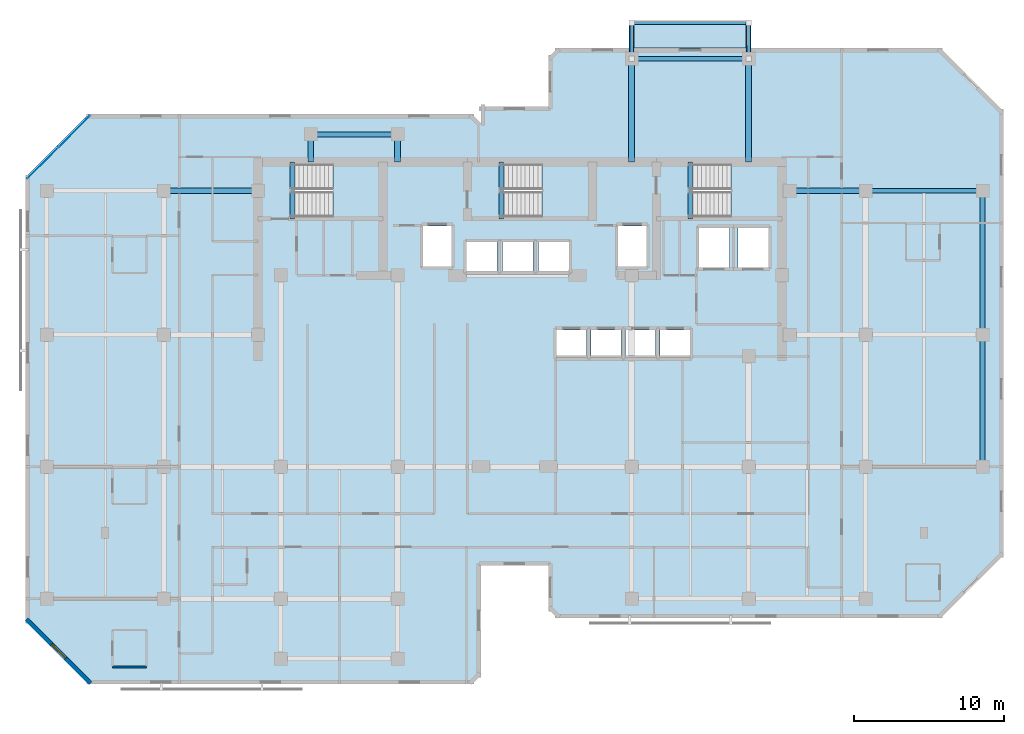
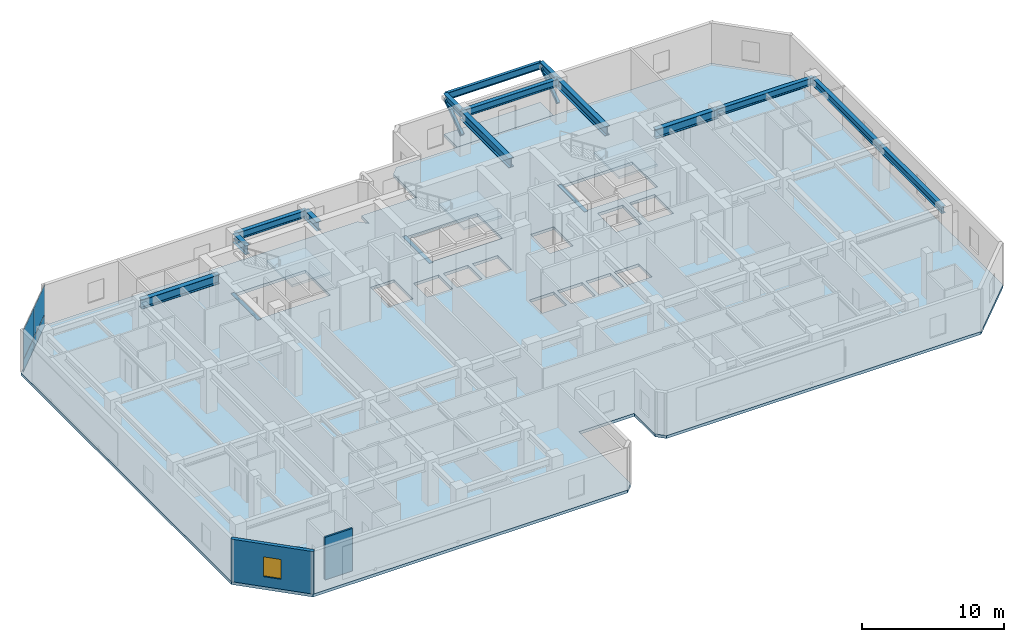
# One storey, part 3 of 10: 17 beams, 5 slabs, 4 plates, 2 members, 2 walls, 1 window, 1 opening, 4 elements without a shape of their own.
"""IFC4 building model written with IfcOpenShell, lengths in metres."""

from ifc_helpers import new_model, si_unit, direction, frame, frame_2d, origin, origin_2d, place, context, subcontext, project, spatial, polyline, rectangle, hollow_rectangle, i_section, outline, extrude, material, layer, layer_set, material_profile, profile_set, type_object, element, fill, aggregate, save


model = new_model("IFC4")

# Units and contexts
model_context = context("Model", 3, precision=1e-05, world=origin(), true_north=direction((0.0, 1.0)))
body_context = subcontext(model_context, "Body", "Model", "MODEL_VIEW")
ifc_project = project(units=[si_unit("LENGTHUNIT", "METRE"), si_unit("AREAUNIT", "SQUARE_METRE"), si_unit("VOLUMEUNIT", "CUBIC_METRE"), si_unit("PLANEANGLEUNIT", "RADIAN"), si_unit("MASSUNIT", "GRAM", prefix="KILO")], contexts=[model_context])

# Site, building, storey
site_placement = place(None, origin())
site = spatial("IfcSite", under=ifc_project, at=site_placement, CompositionType="ELEMENT")
building_placement = place(site_placement, origin())
building = spatial("IfcBuilding", under=site, at=building_placement, Name="Kestravale Grand Hotel", CompositionType="ELEMENT")
storey_placement = place(building_placement, frame((0.0, 0.0, 220.199951171875)))
storey = spatial("IfcBuildingStorey", under=building, at=storey_placement, Name="L55", CompositionType="ELEMENT", Elevation=220.199951171875)

# Beams
ifc_material_1 = material(Name="Concrete f'c 45 MPa", Category="concrete")
ifc_material_profile_1 = material_profile(ifc_material_1, rectangle(XDim=0.300048828125, YDim=0.39990234375, at=origin_2d()))
ifc_profile_set_1 = profile_set([ifc_material_profile_1], Name="Concrete f'c 45 MPa")
beam_type_1 = type_object("IfcBeamType", Name="B-FLR-LNT400", PredefinedType="LINTEL", material=ifc_profile_set_1)
for number, where, z_axis, x_axis, name in (
    (1, (24.159912109375, 36.52001953125, -0.199951171875), (0.0, 1.0, 0.0), (-1.0, 0.0, 0.0), "L55 ST1 flight bottom header beam"),
    (2, (38.110107421875, 36.52001953125, -0.199951171875), (0.0, 1.0, 0.0), (-1.0, 0.0, 0.0), "L55 ST2 flight bottom header beam"),
    (3, (50.7099609375, 36.52001953125, -0.199951171875), (0.0, 1.0, 0.0), (-1.0, 0.0, 0.0), "L55 ST3 flight bottom header beam"),
):
    element("IfcBeam", number, at=place(storey_placement, frame(where, z_axis=z_axis, x_axis=x_axis)), inside=storey, type_object=beam_type_1, Name=name, PredefinedType="LINTEL", context=body_context, shape_type="SweptSolid", body=[
        extrude(rectangle(XDim=0.300048828125, YDim=0.39990234375, at=origin_2d()), origin(), (0.0, 0.0, 1.0), 3.800048828125),
    ])
ifc_material_2 = material(Name="Steel ASTM A992 Grade 50", Category="steel")
ifc_material_profile_2 = material_profile(ifc_material_2, i_section(OverallWidth=0.324951171875, OverallDepth=0.612060546875, WebThickness=0.0126953125, FlangeThickness=0.01904296875, FilletRadius=0.018798828125, at=origin_2d()))
ifc_profile_set_2 = profile_set([ifc_material_profile_2], Name="Steel ASTM A992 Grade 50")
beam_type_2 = type_object("IfcBeamType", Name="B-FLR-W24A", PredefinedType="SPANDREL", material=ifc_profile_set_2)
for number, where, z_axis, x_axis, name in (
    (4, (62.39990234375, 38.39990234375, 3.343994140625), (1.0, 0.0, 0.0), (0.0, 1.0, 0.0), "L55 spandrel F:10-11"),
    (5, (46.800048828125, 47.199951171875, 3.343994140625), (1.0, 0.0, 0.0), (0.0, 1.0, 0.0), "L55 spandrel G:8-9"),
):
    element("IfcBeam", number, at=place(storey_placement, frame(where, z_axis=z_axis, x_axis=x_axis)), inside=storey, type_object=beam_type_2, Name=name, PredefinedType="SPANDREL", context=body_context, shape_type="SweptSolid", body=[
        extrude(i_section(OverallWidth=0.324951171875, OverallDepth=0.612060546875, WebThickness=0.0126953125, FlangeThickness=0.01904296875, FilletRadius=0.018798828125, at=origin_2d()), origin(), (0.0, 0.0, 1.0), 7.800048828125),
    ])
beam_1_placement = place(storey_placement, frame((25.39990234375, 42.14990234375, 3.343994140625), z_axis=(1.0, 0.0, 0.0), x_axis=(0.0, 1.0, 0.0)))
element("IfcBeam", 6, at=beam_1_placement, inside=storey, type_object=beam_type_2, Name="L55 perimeter tie spandrel FN:4-5", PredefinedType="SPANDREL", context=body_context, shape_type="SweptSolid", body=[
    extrude(i_section(OverallWidth=0.324951171875, OverallDepth=0.612060546875, WebThickness=0.0126953125, FlangeThickness=0.01904296875, FilletRadius=0.018798828125, at=origin_2d()), origin(), (0.0, 0.0, 1.0), 5.800048828125),
])
beam_2_placement = place(storey_placement, frame((70.199951171875, 20.0, 3.343994140625), z_axis=(0.0, 1.0, 0.0), x_axis=(-1.0, 0.0, 0.0)))
element("IfcBeam", 7, at=beam_2_placement, inside=storey, type_object=beam_type_2, Name="L55 spandrel 11:D-E", PredefinedType="SPANDREL", context=body_context, shape_type="SweptSolid", body=[
    extrude(i_section(OverallWidth=0.324951171875, OverallDepth=0.612060546875, WebThickness=0.0126953125, FlangeThickness=0.01904296875, FilletRadius=0.018798828125, at=origin_2d()), origin(), (0.0, 0.0, 1.0), 8.800048828125),
])
beam_3_placement = place(storey_placement, frame((70.199951171875, 28.800048828125, 3.343994140625), z_axis=(0.0, 1.0, 0.0), x_axis=(-1.0, 0.0, 0.0)))
element("IfcBeam", 8, at=beam_3_placement, inside=storey, type_object=beam_type_2, Name="L55 spandrel 11:E-F", PredefinedType="SPANDREL", context=body_context, shape_type="SweptSolid", body=[
    extrude(i_section(OverallWidth=0.324951171875, OverallDepth=0.612060546875, WebThickness=0.0126953125, FlangeThickness=0.01904296875, FilletRadius=0.018798828125, at=origin_2d()), origin(), (0.0, 0.0, 1.0), 9.599853515625),
])
for number, where, z_axis, x_axis, name in (
    (9, (46.800048828125, 47.199951171875, 3.323974609375), (0.0, 1.0, 0.0), (-1.0, 0.0, 0.0), "L56 terrace cantilever beam 1"),
    (10, (54.60009765625, 47.199951171875, 3.323974609375), (0.0, 1.0, 0.0), (-1.0, 0.0, 0.0), "L56 terrace cantilever beam 2"),
):
    element("IfcBeam", number, at=place(storey_placement, frame(where, z_axis=z_axis, x_axis=x_axis)), inside=storey, type_object=beam_type_2, Name=name, PredefinedType="SPANDREL", context=body_context, shape_type="SweptSolid", body=[
        extrude(i_section(OverallWidth=0.324951171875, OverallDepth=0.612060546875, WebThickness=0.0126953125, FlangeThickness=0.01904296875, FilletRadius=0.018798828125, at=origin_2d()), origin(), (0.0, 0.0, 1.0), 2.400146484375),
    ])
ifc_material_3 = material(Name="Steel ASTM A992 Grade 50", Category="steel")
ifc_material_profile_3 = material_profile(ifc_material_3, i_section(OverallWidth=0.22900390625, OverallDepth=0.612060546875, WebThickness=0.011962890625, FlangeThickness=0.01953125, FilletRadius=0.019287109375, at=origin_2d()))
ifc_profile_set_3 = profile_set([ifc_material_profile_3], Name="Steel ASTM A992 Grade 50")
beam_type_3 = type_object("IfcBeamType", Name="B-FLR-W24B", PredefinedType="SPANDREL", material=ifc_profile_set_3)
beam_4_placement = place(storey_placement, frame((46.800048828125, 49.60009765625, 3.323974609375), z_axis=(1.0, 0.0, 0.0), x_axis=(0.0, 1.0, 0.0)))
element("IfcBeam", 11, at=beam_4_placement, inside=storey, type_object=beam_type_3, Name="L56 terrace edge spandrel", PredefinedType="SPANDREL", context=body_context, shape_type="SweptSolid", body=[
    extrude(i_section(OverallWidth=0.22900390625, OverallDepth=0.612060546875, WebThickness=0.011962890625, FlangeThickness=0.01953125, FilletRadius=0.019287109375, at=origin_2d()), origin(), (0.0, 0.0, 1.0), 7.800048828125),
])
ifc_material_4 = material(Name="Steel ASTM A992 Grade 50", Category="steel")
ifc_material_profile_4 = material_profile(ifc_material_4, i_section(OverallWidth=0.381103515625, OverallDepth=0.77197265625, WebThickness=0.0166015625, FlangeThickness=0.027099609375, FilletRadius=0.023681640625, at=origin_2d()))
ifc_profile_set_4 = profile_set([ifc_material_profile_4], Name="Steel ASTM A992 Grade 50")
beam_type_4 = type_object("IfcBeamType", Name="B-GRD-W30", PredefinedType="BEAM", material=ifc_profile_set_4)
beam_5_placement = place(storey_placement, frame((15.60009765625, 38.39990234375, 3.26416015625), z_axis=(1.0, 0.0, 0.0), x_axis=(0.0, 1.0, 0.0)))
element("IfcBeam", 12, at=beam_5_placement, inside=storey, type_object=beam_type_4, Name="L55 girder F:3-CW", PredefinedType="BEAM", context=body_context, shape_type="SweptSolid", body=[
    extrude(i_section(OverallWidth=0.381103515625, OverallDepth=0.77197265625, WebThickness=0.0166015625, FlangeThickness=0.027099609375, FilletRadius=0.023681640625, at=origin_2d()), origin(), (0.0, 0.0, 1.0), 6.2998046875),
])
beam_6_placement = place(storey_placement, frame((57.35009765625, 38.39990234375, 3.26416015625), z_axis=(1.0, 0.0, 0.0), x_axis=(0.0, 1.0, 0.0)))
element("IfcBeam", 13, at=beam_6_placement, inside=storey, type_object=beam_type_4, Name="L55 girder F:CE-10", PredefinedType="BEAM", context=body_context, shape_type="SweptSolid", body=[
    extrude(i_section(OverallWidth=0.381103515625, OverallDepth=0.77197265625, WebThickness=0.0166015625, FlangeThickness=0.027099609375, FilletRadius=0.023681640625, at=origin_2d()), origin(), (0.0, 0.0, 1.0), 5.0498046875),
])
for number, where, z_axis, x_axis, name in (
    (14, (25.39990234375, 40.320068359375, 3.26416015625), (0.0, 1.0, 0.0), (-1.0, 0.0, 0.0), "L55 north wing tie girder 4:CN-FN"),
    (15, (31.199951171875, 40.320068359375, 3.26416015625), (0.0, 1.0, 0.0), (-1.0, 0.0, 0.0), "L55 north wing tie girder 5:CN-FN"),
):
    element("IfcBeam", number, at=place(storey_placement, frame(where, z_axis=z_axis, x_axis=x_axis)), inside=storey, type_object=beam_type_4, Name=name, PredefinedType="BEAM", context=body_context, shape_type="SweptSolid", body=[
        extrude(i_section(OverallWidth=0.381103515625, OverallDepth=0.77197265625, WebThickness=0.0166015625, FlangeThickness=0.027099609375, FilletRadius=0.023681640625, at=origin_2d()), origin(), (0.0, 0.0, 1.0), 1.829833984375),
    ])
for number, where, z_axis, x_axis, name in (
    (16, (46.800048828125, 40.320068359375, 3.26416015625), (0.0, 1.0, 0.0), (-1.0, 0.0, 0.0), "L55 north wing tie girder 8:CN-G"),
    (17, (54.60009765625, 40.320068359375, 3.26416015625), (0.0, 1.0, 0.0), (-1.0, 0.0, 0.0), "L55 north wing tie girder 9:CN-G"),
):
    element("IfcBeam", number, at=place(storey_placement, frame(where, z_axis=z_axis, x_axis=x_axis)), inside=storey, type_object=beam_type_4, Name=name, PredefinedType="BEAM", context=body_context, shape_type="SweptSolid", body=[
        extrude(i_section(OverallWidth=0.381103515625, OverallDepth=0.77197265625, WebThickness=0.0166015625, FlangeThickness=0.027099609375, FilletRadius=0.023681640625, at=origin_2d()), origin(), (0.0, 0.0, 1.0), 6.8798828125),
    ])

# Members
ifc_material_5 = material(Name="Steel ASTM A500 Grade C", Category="steel")
ifc_material_profile_5 = material_profile(ifc_material_5, hollow_rectangle(XDim=0.25, YDim=0.25, WallThickness=0.011962890625, InnerFilletRadius=0.011962890625, OuterFilletRadius=0.02392578125, at=origin_2d()))
ifc_profile_set_5 = profile_set([ifc_material_profile_5], Name="Steel ASTM A500 Grade C")
member_type = type_object("IfcMemberType", Name="M-BLT-STR250", PredefinedType="STRUT", material=ifc_profile_set_5)
for number, where, z_axis, x_axis, name in (
    (18, (46.800048828125, 47.199951171875, 1.47412109375), (0.0, 0.816048950856, 0.577982793694), (-1.0, 0.0, 0.0), "L56 terrace knee-brace strut 1"),
    (19, (54.60009765625, 47.199951171875, 1.47412109375), (0.0, 0.816048950856, 0.577982793694), (-1.0, 0.0, 0.0), "L56 terrace knee-brace strut 2"),
):
    element("IfcMember", number, at=place(storey_placement, frame(where, z_axis=z_axis, x_axis=x_axis)), inside=storey, type_object=member_type, Name=name, PredefinedType="STRUT", context=body_context, shape_type="SweptSolid", body=[
        extrude(hollow_rectangle(XDim=0.25, YDim=0.25, WallThickness=0.011962890625, InnerFilletRadius=0.011962890625, OuterFilletRadius=0.02392578125, at=origin_2d()), origin(), (0.0, 0.0, 1.0), 2.941162109375),
    ])

# Curtain wall, plates
ifc_material_6 = material(Name="Thermally broken champagne-bronze aluminium and low-E glazing", Category="aluminium")
ifc_layer_1 = layer(ifc_material_6, 0.179931640625)
ifc_layer_set_1 = layer_set([ifc_layer_1], Name="CW-Z3")
curtain_wall_type = type_object("IfcCurtainWallType", Name="CW-Z3", PredefinedType="NOTDEFINED", material=ifc_layer_set_1)
curtain_wall_placement = place(storey_placement, origin())
curtain_wall = element("IfcCurtainWall", 20, at=curtain_wall_placement, inside=storey, type_object=curtain_wall_type, Name="L55 unitised curtain wall 18", PredefinedType="NOTDEFINED")
ifc_material_7 = material(Name="Insulated clear low-E double glazing IGU", Category="glass")
ifc_layer_2 = layer(ifc_material_7, 0.031982421875)
ifc_layer_set_2 = layer_set([ifc_layer_2], Name="CW-PNL-32")
plate_type = type_object("IfcPlateType", Name="CW-PNL-32", PredefinedType="CURTAIN_PANEL", material=ifc_layer_set_2)
plate_1_placement = place(storey_placement, frame((9.64453125, 42.3466796875, 0.06494140625), z_axis=(0.0, 0.0, 1.0), x_axis=(-0.707106781187, -0.707106781187, 0.0)))
plate_1 = element("IfcPlate", 21, at=plate_1_placement, type_object=plate_type, Name="CW-Z3 panel 1.1", PredefinedType="CURTAIN_PANEL", context=body_context, shape_type="SweptSolid", body=[
    extrude(rectangle(XDim=2.892333984375, YDim=0.031982421875, at=origin_2d()), origin(), (0.0, 0.0, 1.0), 0.952392578125),
])
plate_2_placement = place(storey_placement, frame((9.64453125, 42.3466796875, 1.08251953125), z_axis=(0.0, 0.0, 1.0), x_axis=(-0.707106781187, -0.707106781187, 0.0)))
plate_2 = element("IfcPlate", 22, at=plate_2_placement, type_object=plate_type, Name="CW-Z3 panel 1.2", PredefinedType="CURTAIN_PANEL", context=body_context, shape_type="SweptSolid", body=[
    extrude(rectangle(XDim=2.892333984375, YDim=0.031982421875, at=origin_2d()), origin(), (0.0, 0.0, 1.0), 2.50244140625),
])
plate_3_placement = place(storey_placement, frame((7.553466796875, 40.25537109375, 0.06494140625), z_axis=(0.0, 0.0, 1.0), x_axis=(-0.707106781187, -0.707106781187, 0.0)))
plate_3 = element("IfcPlate", 23, at=plate_3_placement, type_object=plate_type, Name="CW-Z3 panel 2.1", PredefinedType="CURTAIN_PANEL", context=body_context, shape_type="SweptSolid", body=[
    extrude(rectangle(XDim=2.892333984375, YDim=0.031982421875, at=origin_2d()), origin(), (0.0, 0.0, 1.0), 0.952392578125),
])
plate_4_placement = place(storey_placement, frame((7.553466796875, 40.25537109375, 1.08251953125), z_axis=(0.0, 0.0, 1.0), x_axis=(-0.707106781187, -0.707106781187, 0.0)))
plate_4 = element("IfcPlate", 24, at=plate_4_placement, type_object=plate_type, Name="CW-Z3 panel 2.2", PredefinedType="CURTAIN_PANEL", context=body_context, shape_type="SweptSolid", body=[
    extrude(rectangle(XDim=2.892333984375, YDim=0.031982421875, at=origin_2d()), origin(), (0.0, 0.0, 1.0), 2.50244140625),
])
aggregate(curtain_wall, [plate_1, plate_2, plate_3, plate_4])

# Slab
ifc_material_8 = material(Name="Concrete f'c 45 MPa", Category="concrete")
ifc_layer_3 = layer(ifc_material_8, 0.27001953125)
ifc_layer_set_3 = layer_set([ifc_layer_3], Name="ES-TERR-270")
slab_type_1 = type_object("IfcSlabType", Name="ES-TERR-270", PredefinedType="FLOOR", material=ifc_layer_set_3)
slab_1_placement = place(storey_placement, frame((0.0, 0.0, -0.27001953125)))
element("IfcSlab", 25, at=slab_1_placement, inside=storey, type_object=slab_type_1, Name="L55 spiralling planted garden terrace", PredefinedType="FLOOR", context=body_context, shape_type="SweptSolid", body=[
    extrude(outline(polyline([(46.800048828125, 47.89990234375), (54.60009765625, 47.89990234375), (54.60009765625, 49.75), (46.800048828125, 49.75), (46.800048828125, 47.89990234375)])), origin(), (0.0, 0.0, 1.0), 0.27001953125),
])

# Stair, slab
ifc_material_9 = material(Name="Concrete f'c 45 MPa", Category="concrete")
stair_type = type_object("IfcStairType", Name="ST-CORE-390", PredefinedType="HALF_TURN_STAIR", material=ifc_material_9)
stair_1_placement = place(storey_placement, origin())
stair_1 = element("IfcStair", 26, at=stair_1_placement, inside=storey, type_object=stair_type, Name="L55 ST-1", PredefinedType="HALF_TURN_STAIR")
ifc_material_10 = material(Name="Concrete f'c 45 MPa", Category="concrete")
ifc_layer_4 = layer(ifc_material_10, 0.199951171875)
ifc_layer_set_4 = layer_set([ifc_layer_4], Name="SLB-ST-LND200")
slab_type_2 = type_object("IfcSlabType", Name="SLB-ST-LND200", PredefinedType="LANDING", material=ifc_layer_set_4)
slab_2_placement = place(storey_placement, frame((0.0, 0.0, 1.75)))
slab_2 = element("IfcSlab", 27, at=slab_2_placement, type_object=slab_type_2, Name="ST-1 landing 1", PredefinedType="LANDING", context=body_context, shape_type="SweptSolid", body=[
    extrude(outline(polyline([(26.8798828125, 36.64990234375), (30.0, 36.64990234375), (30.0, 40.159912109375), (26.8798828125, 40.159912109375), (26.8798828125, 36.64990234375)])), origin(), (0.0, 0.0, 1.0), 0.199951171875),
])
aggregate(stair_1, [slab_2])

stair_2_placement = place(storey_placement, origin())
stair_2 = element("IfcStair", 28, at=stair_2_placement, inside=storey, type_object=stair_type, Name="L55 ST-2", PredefinedType="HALF_TURN_STAIR")
slab_3_placement = place(storey_placement, frame((0.0, 0.0, 1.75)))
slab_3 = element("IfcSlab", 29, at=slab_3_placement, type_object=slab_type_2, Name="ST-2 landing 1", PredefinedType="LANDING", context=body_context, shape_type="SweptSolid", body=[
    extrude(outline(polyline([(40.830078125, 36.64990234375), (43.949951171875, 36.64990234375), (43.949951171875, 40.159912109375), (40.830078125, 40.159912109375), (40.830078125, 36.64990234375)])), origin(), (0.0, 0.0, 1.0), 0.199951171875),
])
aggregate(stair_2, [slab_3])

stair_3_placement = place(storey_placement, origin())
stair_3 = element("IfcStair", 30, at=stair_3_placement, inside=storey, type_object=stair_type, Name="L55 ST-3", PredefinedType="HALF_TURN_STAIR")
slab_4_placement = place(storey_placement, frame((0.0, 0.0, 1.75)))
slab_4 = element("IfcSlab", 31, at=slab_4_placement, type_object=slab_type_2, Name="ST-3 landing 1", PredefinedType="LANDING", context=body_context, shape_type="SweptSolid", body=[
    extrude(outline(polyline([(53.429931640625, 36.64990234375), (56.550048828125, 36.64990234375), (56.550048828125, 40.159912109375), (53.429931640625, 40.159912109375), (53.429931640625, 36.64990234375)])), origin(), (0.0, 0.0, 1.0), 0.199951171875),
])
aggregate(stair_3, [slab_4])

# Slab
ifc_material_11 = material(Name="Concrete f'c 45 MPa", Category="concrete")
ifc_layer_5 = layer(ifc_material_11, 0.25)
ifc_layer_set_5 = layer_set([ifc_layer_5], Name="SS-FLR-250")
slab_type_3 = type_object("IfcSlabType", Name="SS-FLR-250", PredefinedType="FLOOR", material=ifc_layer_set_5)
slab_5_placement = place(storey_placement, frame((0.0, 0.0, -0.25)))
element("IfcSlab", 32, at=slab_5_placement, inside=storey, type_object=slab_type_3, Name="L55 structural floor slab", PredefinedType="FLOOR", context=body_context, shape_type="SweptSolid", body=[
    extrude(outline(polyline([(10.60009765625, 5.5), (36.14990234375, 5.5), (36.75, 6.10009765625), (36.75, 13.39990234375), (41.25, 13.39990234375), (41.25, 10.5), (41.85009765625, 9.89990234375), (67.39990234375, 9.89990234375), (71.60009765625, 14.10009765625), (71.60009765625, 43.699951171875), (67.39990234375, 47.89990234375), (41.85009765625, 47.89990234375), (41.25, 47.300048828125), (41.25, 44.0), (36.75, 44.0), (36.75, 42.89990234375), (36.14990234375, 43.5), (10.60009765625, 43.5), (6.39990234375, 39.300048828125), (6.39990234375, 9.699951171875), (10.60009765625, 5.5)]), holes=[polyline([(24.080078125, 36.64990234375), (30.0, 36.64990234375), (30.0, 40.159912109375), (24.080078125, 40.159912109375), (24.080078125, 36.64990234375)]), polyline([(38.030029296875, 36.64990234375), (43.949951171875, 36.64990234375), (43.949951171875, 40.159912109375), (38.030029296875, 40.159912109375), (38.030029296875, 36.64990234375)]), polyline([(50.6298828125, 36.64990234375), (56.550048828125, 36.64990234375), (56.550048828125, 40.159912109375), (50.6298828125, 40.159912109375), (50.6298828125, 36.64990234375)]), polyline([(41.804931640625, 27.280029296875), (43.794921875, 27.280029296875), (43.794921875, 29.1201171875), (41.804931640625, 29.1201171875), (41.804931640625, 27.280029296875)]), polyline([(44.10498046875, 27.280029296875), (46.094970703125, 27.280029296875), (46.094970703125, 29.1201171875), (44.10498046875, 29.1201171875), (44.10498046875, 27.280029296875)]), polyline([(46.405029296875, 27.280029296875), (48.39501953125, 27.280029296875), (48.39501953125, 29.1201171875), (46.405029296875, 29.1201171875), (46.405029296875, 27.280029296875)]), polyline([(48.705078125, 27.280029296875), (50.695068359375, 27.280029296875), (50.695068359375, 29.1201171875), (48.705078125, 29.1201171875), (48.705078125, 27.280029296875)]), polyline([(35.780029296875, 33.030029296875), (37.820068359375, 33.030029296875), (37.820068359375, 34.969970703125), (35.780029296875, 34.969970703125), (35.780029296875, 33.030029296875)]), polyline([(38.179931640625, 33.030029296875), (40.219970703125, 33.030029296875), (40.219970703125, 34.969970703125), (38.179931640625, 34.969970703125), (38.179931640625, 33.030029296875)]), polyline([(40.580078125, 33.030029296875), (42.6201171875, 33.030029296875), (42.6201171875, 34.969970703125), (40.580078125, 34.969970703125), (40.580078125, 33.030029296875)]), polyline([(32.905029296875, 33.35498046875), (34.794921875, 33.35498046875), (34.794921875, 36.044921875), (32.905029296875, 36.044921875), (32.905029296875, 33.35498046875)]), polyline([(45.905029296875, 33.35498046875), (47.794921875, 33.35498046875), (47.794921875, 36.044921875), (45.905029296875, 36.044921875), (45.905029296875, 33.35498046875)]), polyline([(51.280029296875, 33.280029296875), (53.320068359375, 33.280029296875), (53.320068359375, 35.919921875), (51.280029296875, 35.919921875), (51.280029296875, 33.280029296875)]), polyline([(53.8798828125, 33.280029296875), (55.919921875, 33.280029296875), (55.919921875, 35.919921875), (53.8798828125, 35.919921875), (53.8798828125, 33.280029296875)])]), origin(), (0.0, 0.0, 1.0), 0.25),
])

# Wall, opening, window
ifc_material_12 = material(Name="Precast concrete f'c 45 MPa", Category="concrete")
ifc_layer_6 = layer(ifc_material_12, 0.280029296875)
ifc_layer_set_6 = layer_set([ifc_layer_6], Name="EW-PREC-280")
wall_type_1 = type_object("IfcWallType", Name="EW-PREC-280", PredefinedType="SOLIDWALL", material=ifc_layer_set_6)
wall_1_placement = place(storey_placement, frame((6.470703125, 9.827392578125, 0.0), z_axis=(0.0, 0.0, 1.0), x_axis=(0.707106781187, -0.707106781187, 0.0)))
wall_1 = element("IfcWall", 33, at=wall_1_placement, inside=storey, type_object=wall_type_1, Name="L55 fluted precast facade wall 20", PredefinedType="SOLIDWALL", context=body_context, shape_type="SweptSolid", body=[
    extrude(rectangle(XDim=6.019775390625, YDim=0.280029296875, at=frame_2d((3.009765625, 0.0))), origin(), (0.0, 0.0, 1.0), 3.650146484375),
])
opening_placement = place(wall_1_placement, frame((2.35986328125, 0.0, 0.85009765625)))
opening = element("IfcOpeningElement", 34, at=opening_placement, cuts=wall_1, Name="Opening W-GUEST-1300", PredefinedType="OPENING", context=body_context, shape_type="SweptSolid", body=[
    extrude(rectangle(XDim=1.300048828125, YDim=1.699951171875, at=frame_2d((0.64990234375, 0.85009765625))), frame((0.0, 0.14990234375, 0.0), z_axis=(0.0, -1.0, 0.0), x_axis=(1.0, 0.0, 0.0)), (0.0, 0.0, 1.0), 0.300048828125),
])
ifc_material_13 = material(Name="Insulated low-E double glazing in aluminium frame", Category="aluminium")
window_type = type_object("IfcWindowType", Name="W-GUEST-1300", PartitioningType="SINGLE_PANEL", PredefinedType="WINDOW", material=ifc_material_13)
window_placement = place(opening_placement, origin())
window = element("IfcWindow", 35, at=window_placement, inside=storey, type_object=window_type, Name="L55 exterior window 20.1", OverallHeight=1.699951171875, OverallWidth=1.300048828125, PartitioningType="SINGLE_PANEL", PredefinedType="WINDOW", context=body_context, shape_type="SweptSolid", body=[
    extrude(rectangle(XDim=1.300048828125, YDim=1.699951171875, at=frame_2d((0.64990234375, 0.85009765625))), frame((0.0, 0.030029296875, 0.0), z_axis=(0.0, -1.0, 0.0), x_axis=(1.0, 0.0, 0.0)), (0.0, 0.0, 1.0), 0.06005859375),
])
fill(opening, window)

# Wall
ifc_material_14 = material(Name="Moisture-resistant tile-backer plumbing chase wall", Category="other")
ifc_layer_7 = layer(ifc_material_14, 0.139892578125)
ifc_layer_set_7 = layer_set([ifc_layer_7], Name="IW-PLB-140")
wall_type_2 = type_object("IfcWallType", Name="IW-PLB-140", PredefinedType="PLUMBINGWALL", material=ifc_layer_set_7)
wall_2_placement = place(storey_placement, frame((12.199951171875, 6.64990234375, 0.0), z_axis=(0.0, 0.0, 1.0), x_axis=(1.0, 0.0, 0.0)))
element("IfcWall", 36, at=wall_2_placement, inside=storey, type_object=wall_type_2, Name="W-L55-U02-BS", PredefinedType="PLUMBINGWALL", context=body_context, shape_type="SweptSolid", body=[
    extrude(rectangle(XDim=2.25, YDim=0.139892578125, at=frame_2d((1.125, 0.0))), origin(), (0.0, 0.0, 1.0), 3.650146484375),
])

save(model, "model.ifc")
